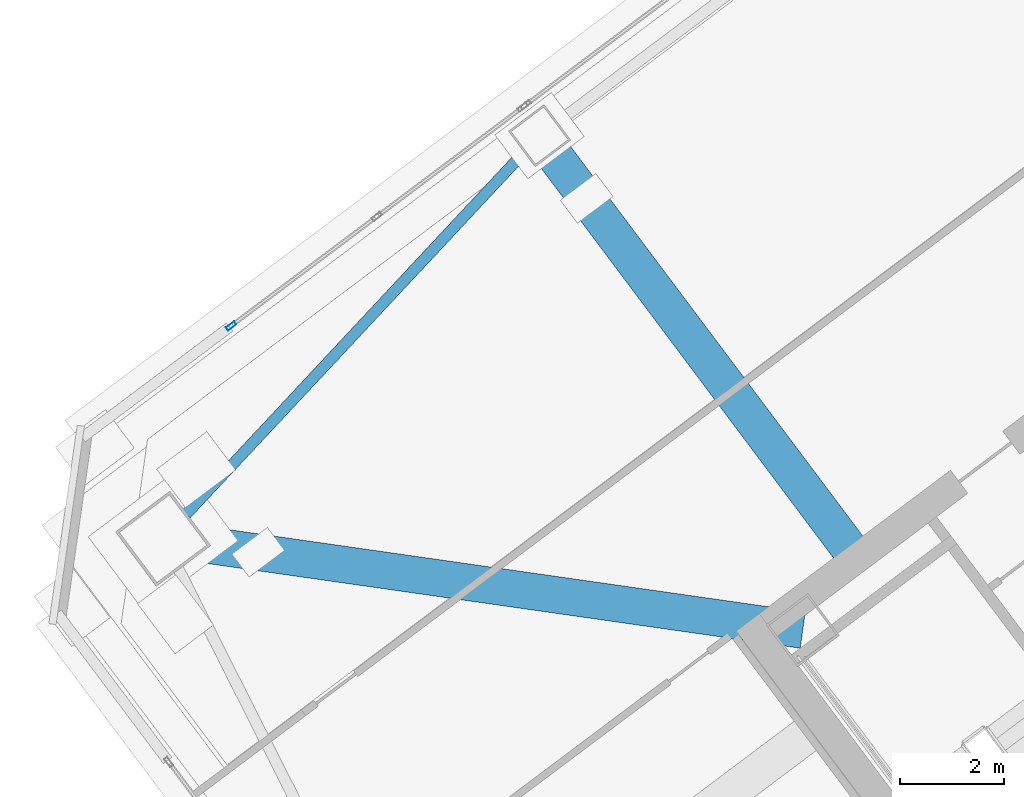
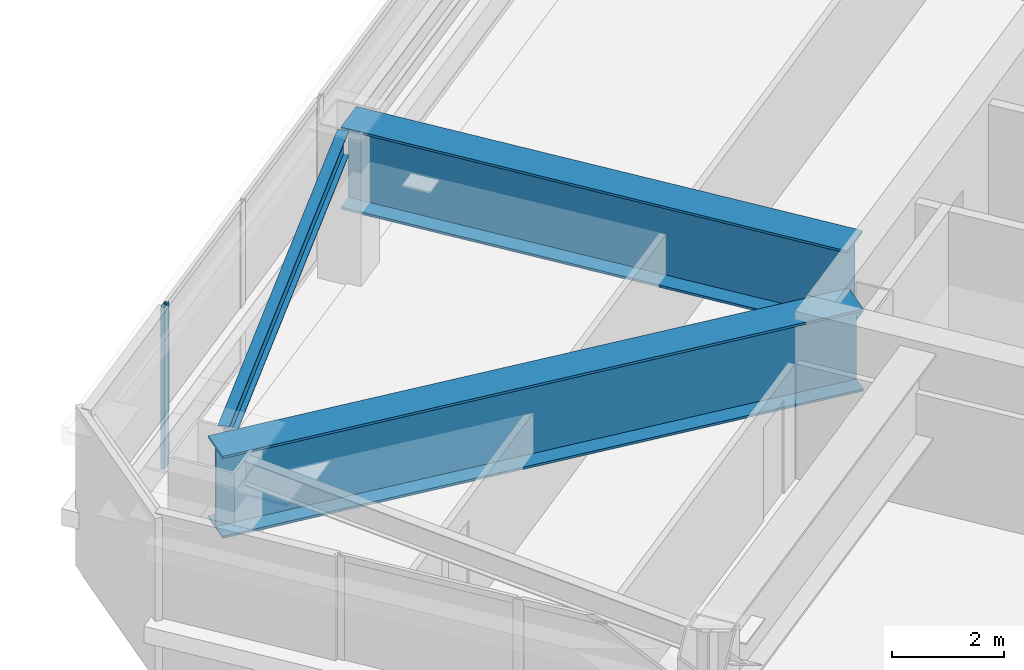
# One storey, part 21 of 42: 3 beams, 1 member, 1 element without a shape of its own.
"""IFC4 building model written with IfcOpenShell, lengths in metres."""

from ifc_helpers import new_model, si_unit, direction, frame, origin, origin_2d, place, context, subcontext, project, spatial, hollow_rectangle, i_section, extrude, material, material_profile, profile_set, type_object, element, aggregate, save


model = new_model("IFC4")

# Units and contexts
model_context = context("Model", 3, precision=1e-05, world=origin(), true_north=direction((0.0, 1.0)))
body_context = subcontext(model_context, "Body", "Model", "MODEL_VIEW")
ifc_project = project(units=[si_unit("LENGTHUNIT", "METRE"), si_unit("AREAUNIT", "SQUARE_METRE"), si_unit("VOLUMEUNIT", "CUBIC_METRE"), si_unit("PLANEANGLEUNIT", "RADIAN"), si_unit("MASSUNIT", "GRAM", prefix="KILO")], contexts=[model_context])

# Site, building, storey
site_placement = place(None, origin())
site = spatial("IfcSite", under=ifc_project, at=site_placement, CompositionType="ELEMENT")
building_placement = place(site_placement, origin())
building = spatial("IfcBuilding", under=site, at=building_placement, Name="Tashvorn Skyway Center", CompositionType="ELEMENT")
storey_placement = place(building_placement, frame((0.0, 0.0, 153.449951171875)))
storey = spatial("IfcBuildingStorey", under=building, at=storey_placement, Name="L41", CompositionType="ELEMENT", Elevation=153.449951171875)

# Beams
ifc_material_1 = material(Name="Steel ASTM A572 Grade 50", Category="steel")
ifc_material_profile_1 = material_profile(ifc_material_1, i_section(OverallWidth=0.699951171875, OverallDepth=1.800048828125, WebThickness=0.031982421875, FlangeThickness=0.050048828125, at=origin_2d()), Name="PG1800x700")
ifc_profile_set_1 = profile_set([ifc_material_profile_1], Name="Steel ASTM A572 Grade 50")
beam_type_1 = type_object("IfcBeamType", Name="BM-BEAM-PG1800x700", PredefinedType="BEAM", material=ifc_profile_set_1)
beam_1_placement = place(storey_placement, frame((91.8798828125, 35.159912109375, 2.469970703125), z_axis=(0.989949493661, -0.141421356237, 0.0), x_axis=(0.141421356237, 0.989949493661, 0.0)))
element("IfcBeam", 1, at=beam_1_placement, inside=storey, type_object=beam_type_1, Name="Tower 2 L41 Setback Transfer Girder MC-NW", PredefinedType="BEAM", context=body_context, shape_type="SweptSolid", body=[
    extrude(i_section(OverallWidth=0.699951171875, OverallDepth=1.800048828125, WebThickness=0.031982421875, FlangeThickness=0.050048828125, at=origin_2d()), origin(), (0.0, 0.0, 1.0), 12.374267578125),
])
beam_2_placement = place(storey_placement, frame((99.090087890625, 42.8798828125, 2.469970703125), z_axis=(0.599992084508, -0.800005936558, 0.0), x_axis=(0.800005936558, 0.599992084508, 0.0)))
element("IfcBeam", 2, at=beam_2_placement, inside=storey, type_object=beam_type_1, Name="Tower 2 L41 Setback Transfer Girder FC-N2", PredefinedType="BEAM", context=body_context, shape_type="SweptSolid", body=[
    extrude(i_section(OverallWidth=0.699951171875, OverallDepth=1.800048828125, WebThickness=0.031982421875, FlangeThickness=0.050048828125, at=origin_2d()), origin(), (0.0, 0.0, 1.0), 9.869873046875),
])
ifc_material_2 = material(Name="Steel ASTM A992 Grade 50", Category="steel")
ifc_material_profile_2 = material_profile(ifc_material_2, i_section(OverallWidth=0.2109375, OverallDepth=0.5390625, WebThickness=0.01171875, FlangeThickness=0.018798828125, at=origin_2d()), Name="W21X73")
ifc_profile_set_2 = profile_set([ifc_material_profile_2], Name="Steel ASTM A992 Grade 50")
beam_type_2 = type_object("IfcBeamType", Name="BM-SPANDREL-W21X73", PredefinedType="SPANDREL", material=ifc_profile_set_2)
beam_3_placement = place(storey_placement, frame((98.80322265625, 42.572998046875, 3.1005859375), z_axis=(-0.682545341102, -0.730843250868, 0.0), x_axis=(0.730843250868, -0.682545341102, 0.0)))
element("IfcBeam", 3, at=beam_3_placement, inside=storey, type_object=beam_type_2, Name="Tower 2 L41 Spandrel Beam 09", PredefinedType="SPANDREL", context=body_context, shape_type="SweptSolid", body=[
    extrude(i_section(OverallWidth=0.2109375, OverallDepth=0.5390625, WebThickness=0.01171875, FlangeThickness=0.018798828125, at=origin_2d()), origin(), (0.0, 0.0, 1.0), 9.498046875),
])

# Curtain wall, member
ifc_material_3 = material(Name="Thermally broken bronze-anodized aluminium 6063-T6", Category="aluminium")
curtain_wall_type = type_object("IfcCurtainWallType", Name="CW-CW-Z3", PredefinedType="NOTDEFINED", material=ifc_material_3)
curtain_wall_placement = place(storey_placement, origin())
curtain_wall = element("IfcCurtainWall", 4, at=curtain_wall_placement, inside=storey, type_object=curtain_wall_type, Name="Tower 2 L41 North Unitised Curtain Wall Glazing Group 1", PredefinedType="NOTDEFINED")
ifc_material_profile_3 = material_profile(ifc_material_3, hollow_rectangle(XDim=0.074951171875, YDim=0.199951171875, WallThickness=0.00439453125, at=origin_2d()), Name="ALU-MULL-75x200")
ifc_profile_set_3 = profile_set([ifc_material_profile_3], Name="Thermally broken bronze-anodized aluminium 6063-T6")
member_type = type_object("IfcMemberType", Name="CWM-CW-Z3", PredefinedType="MULLION", material=ifc_profile_set_3)
member_placement = place(storey_placement, frame((93.18115234375, 39.23583984375, 0.0), z_axis=(0.0, 0.0, 1.0), x_axis=(-0.600004533995, 0.799996599484, 0.0)))
member = element("IfcMember", 5, at=member_placement, type_object=member_type, Name="CW-Z3 mullion 1", PredefinedType="MULLION", context=body_context, shape_type="SweptSolid", body=[
    extrude(hollow_rectangle(XDim=0.074951171875, YDim=0.199951171875, WallThickness=0.00439453125, at=origin_2d()), origin(), (0.0, 0.0, 1.0), 3.550048828125),
])
aggregate(curtain_wall, [member])

save(model, "model.ifc")
